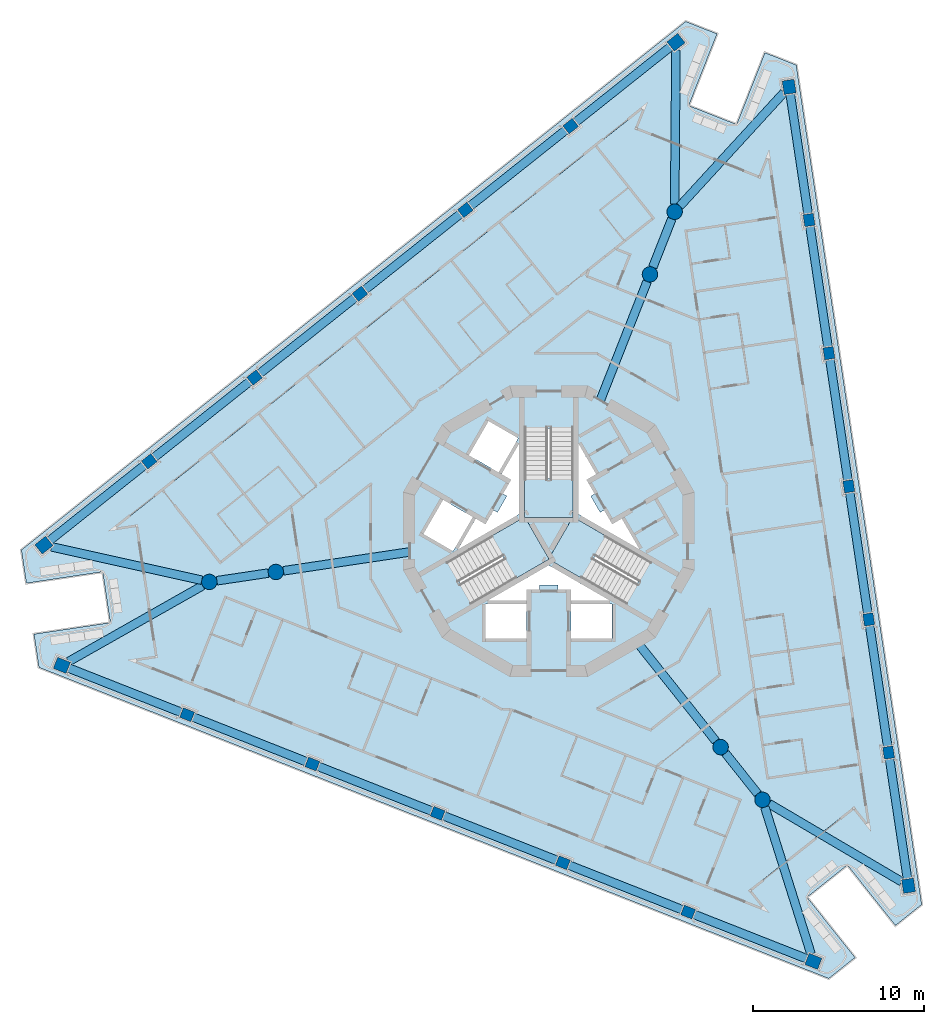
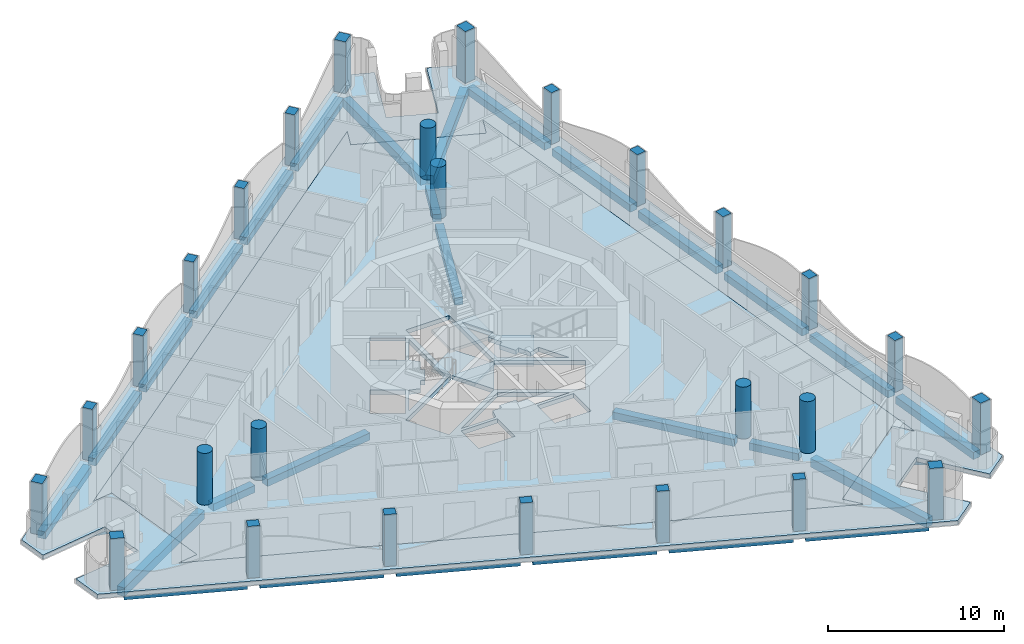
# One storey, part 1 of 16: 30 beams, 27 columns, 6 slabs, 3 elements without a shape of their own.
"""IFC4 building model written with IfcOpenShell, lengths in metres."""

import ifcopenshell
import ifcopenshell.guid

model = None  # the IFC model being written
_history = None  # IfcOwnerHistory: only IFC2X3 demands one
_inside = {}  # id of a spatial element -> (the spatial element, [elements in it])
_under = {}  # id of a project, library or spatial element -> (it, [spatial elements below it])
_declared = {}  # id of a project -> (the project, [libraries it declares])
_typed = {}  # id of a type object -> (the type object, [elements of that type])
_made_of = {}  # id of a material, layer set ... -> (it, [elements and type objects made of it])


def new_model(schema):
    """Start an empty IFC model of exactly this schema.

    Asked for "IFC4X3", IfcOpenShell would pick the latest addendum, in which some entities
    have other attributes; the version numbers below select the first issue.
    IFC2X3 requires an IfcOwnerHistory on every rooted entity: one is made here for all.
    """
    global model, _history
    if schema == "IFC4X3":
        model = ifcopenshell.file(schema_version=(4, 3, 0, 0))
    else:
        model = ifcopenshell.file(schema=schema)
    _inside.clear()
    _under.clear()
    _declared.clear()
    _typed.clear()
    _made_of.clear()
    _history = None
    if model.schema == "IFC2X3":
        org = make("IfcOrganization", Name="unknown")
        user = make(
            "IfcPersonAndOrganization",
            ThePerson=make("IfcPerson", FamilyName="unknown"),
            TheOrganization=org,
        )
        app = make(
            "IfcApplication",
            ApplicationDeveloper=org,
            Version="unknown",
            ApplicationFullName="unknown",
            ApplicationIdentifier="unknown",
        )
        _history = make(
            "IfcOwnerHistory",
            OwningUser=user,
            OwningApplication=app,
            ChangeAction="ADDED",
            CreationDate=0,
        )
    return model


def make(cls, **values):
    """One entity of the class cls with the attributes given. An attribute that is None is left unset."""
    return model.create_entity(
        cls, **{name: value for name, value in values.items() if value is not None}
    )


def rooted(cls, **values):
    """An entity with a GlobalId (a new one), such as an element, a storey or a relation."""
    return make(cls, GlobalId=ifcopenshell.guid.new(), OwnerHistory=_history, **values)


def si_unit(unit_type, name, prefix=None):
    """IfcSIUnit, for example si_unit("LENGTHUNIT", "METRE", prefix="MILLI")."""
    return make("IfcSIUnit", UnitType=unit_type, Prefix=prefix, Name=name)


def assignment(units):
    """IfcUnitAssignment: the units of a project."""
    return None if units is None else make("IfcUnitAssignment", Units=units)


def point(xyz):
    """IfcCartesianPoint."""
    return None if xyz is None else make("IfcCartesianPoint", Coordinates=xyz)


def direction(xyz):
    """IfcDirection."""
    return None if xyz is None else make("IfcDirection", DirectionRatios=xyz)


def frame(location, z_axis=None, x_axis=None):
    """IfcAxis2Placement3D, a coordinate frame: its origin and axes. An axis left out is left unset."""
    return make(
        "IfcAxis2Placement3D",
        Location=point(location),
        Axis=direction(z_axis),
        RefDirection=direction(x_axis),
    )


def frame_2d(location, x_axis=None):
    """IfcAxis2Placement2D, a coordinate frame in the plane: its origin and x axis."""
    return make(
        "IfcAxis2Placement2D", Location=point(location), RefDirection=direction(x_axis)
    )


def origin():
    """The frame at (0, 0, 0) with its axes left unset."""
    return frame((0.0, 0.0, 0.0))


def origin_2d():
    """The frame at (0, 0) in the plane with its x axis left unset."""
    return frame_2d((0.0, 0.0))


def place(relative_to, where):
    """IfcLocalPlacement: puts the frame where relative to a parent placement (None: the world)."""
    return make(
        "IfcLocalPlacement", PlacementRelTo=relative_to, RelativePlacement=where
    )


def context(
    kind, dimensions, precision=None, world=None, true_north=None, identifier=None
):
    """IfcGeometricRepresentationContext, for example the 3D "Model" context."""
    return make(
        "IfcGeometricRepresentationContext",
        ContextIdentifier=identifier,
        ContextType=kind,
        CoordinateSpaceDimension=dimensions,
        Precision=precision,
        WorldCoordinateSystem=world,
        TrueNorth=true_north,
    )


def subcontext(parent, identifier, kind, view, scale=None):
    """IfcGeometricRepresentationSubContext, for example "Body" below "Model"."""
    return make(
        "IfcGeometricRepresentationSubContext",
        ContextIdentifier=identifier,
        ContextType=kind,
        ParentContext=parent,
        TargetScale=scale,
        TargetView=view,
    )


def project(units=None, contexts=None):
    """IfcProject with its units and contexts."""
    return rooted(
        "IfcProject",
        Name="project",
        RepresentationContexts=contexts,
        UnitsInContext=assignment(units),
    )


def spatial(cls, under=None, at=None, **own):
    """A site, building, storey or space (cls), placed at a placement, below another one or the project."""
    s = rooted(cls, ObjectPlacement=at, **own)
    if under is not None:
        _under.setdefault(under.id(), (under, []))[1].append(s)
    return s


def polyline(points):
    """IfcPolyline through the points."""
    return make("IfcPolyline", Points=[point(p) for p in points])


def profile(cls, at=None, kind="AREA", **sizes):
    """A parametric profile (cls). Its sizes go by their IFC names, for example OverallWidth=200.0."""
    return make(cls, ProfileType=kind, Position=at, **sizes)


def rectangle(**sizes):
    """IfcRectangleProfileDef."""
    return profile("IfcRectangleProfileDef", **sizes)


def circle(**sizes):
    """IfcCircleProfileDef."""
    return profile("IfcCircleProfileDef", **sizes)


def outline(outer, holes=None, kind="AREA"):
    """IfcArbitraryClosedProfileDef: a profile drawn as a closed curve; with holes, ...WithVoids."""
    if holes is None:
        return make("IfcArbitraryClosedProfileDef", ProfileType=kind, OuterCurve=outer)
    return make(
        "IfcArbitraryProfileDefWithVoids",
        ProfileType=kind,
        OuterCurve=outer,
        InnerCurves=holes,
    )


def extrude(swept, where, along, depth):
    """IfcExtrudedAreaSolid: the profile swept, set in the frame where, extruded along a direction by depth."""
    return make(
        "IfcExtrudedAreaSolid",
        SweptArea=swept,
        Position=where,
        ExtrudedDirection=direction(along),
        Depth=depth,
    )


def shape(context_of_items, identifier, shape_type, items):
    """IfcShapeRepresentation: the items that make up one representation, for example the "Body"."""
    return make(
        "IfcShapeRepresentation",
        ContextOfItems=context_of_items,
        RepresentationIdentifier=identifier,
        RepresentationType=shape_type,
        Items=items,
    )


def material(Name=None, Category=None):
    """IfcMaterial."""
    return make("IfcMaterial", Name=Name, Category=Category)


def layer(
    of_material, thickness, ventilated=None, Name=None, Category=None, Priority=None
):
    """IfcMaterialLayer: one layer of a wall or slab, of a material (None: an air gap)."""
    return make(
        "IfcMaterialLayer",
        Material=of_material,
        LayerThickness=thickness,
        IsVentilated=ventilated,
        Name=Name,
        Category=Category,
        Priority=Priority,
    )


def layer_set(layers, Name=None):
    """IfcMaterialLayerSet."""
    return make("IfcMaterialLayerSet", MaterialLayers=layers, LayerSetName=Name)


def material_profile(
    of_material, cross_section, Name=None, Category=None, Priority=None
):
    """IfcMaterialProfile: a cross section and its material."""
    return make(
        "IfcMaterialProfile",
        Name=Name,
        Material=of_material,
        Profile=cross_section,
        Priority=Priority,
        Category=Category,
    )


def profile_set(profiles, Name=None, composite=None):
    """IfcMaterialProfileSet."""
    return make(
        "IfcMaterialProfileSet",
        Name=Name,
        MaterialProfiles=profiles,
        CompositeProfile=composite,
    )


def made_of(thing, what):
    """Note that an element or type object is made of a material, layer set ...; save() writes the relation."""
    if what is not None:
        _made_of.setdefault(what.id(), (what, []))[1].append(thing)
    return thing


def type_object(cls, material=None, **own):
    """A type object (cls), such as IfcWallType, which elements share."""
    return made_of(rooted(cls, **own), material)


def element(
    cls,
    number,
    at=None,
    inside=None,
    cuts=None,
    type_object=None,
    material=None,
    context=None,
    identifier="Body",
    shape_type=None,
    held_by="IfcProductDefinitionShape",
    body=None,
    shapes=None,
    **own,
):
    """One element of the class cls, such as IfcWall. Its Tag is "e" and its number.

    at: its placement. inside: the storey or other place that contains it. cuts: it is an
    opening in that element (IfcRelVoidsElement). A single representation is given by context,
    identifier, shape_type and body (its items); several are given by shapes. held_by: the class
    of the entity that holds the representations. save() writes the other relations.
    """
    e = rooted(cls, Tag="e%d" % number, ObjectPlacement=at, **own)
    if body is not None:
        shapes = [shape(context, identifier, shape_type, body)]
    if shapes is not None:
        e.Representation = make(held_by, Representations=shapes)
    if inside is not None:
        _inside.setdefault(inside.id(), (inside, []))[1].append(e)
    if cuts is not None:
        rooted(
            "IfcRelVoidsElement", RelatingBuildingElement=cuts, RelatedOpeningElement=e
        )
    if type_object is not None:
        _typed.setdefault(type_object.id(), (type_object, []))[1].append(e)
    return made_of(e, material)


def aggregate(whole, parts):
    """IfcRelAggregates: a whole, such as a stair, and the parts it consists of."""
    return rooted("IfcRelAggregates", RelatingObject=whole, RelatedObjects=parts)


def save(model, path):
    """Write the relations noted so far, then the file.

    IfcRelAggregates (storeys below a building ...), IfcRelContainedInSpatialStructure (elements
    in a storey), IfcRelDefinesByType, IfcRelAssociatesMaterial and IfcRelDeclares: one each for
    every whole, place, type object, material and project.
    """
    for whole, parts in _under.values():
        aggregate(whole, parts)
    for where, things in _inside.values():
        rooted(
            "IfcRelContainedInSpatialStructure",
            RelatedElements=things,
            RelatingStructure=where,
        )
    for kind, things in _typed.values():
        rooted("IfcRelDefinesByType", RelatedObjects=things, RelatingType=kind)
    for what, things in _made_of.values():
        rooted("IfcRelAssociatesMaterial", RelatedObjects=things, RelatingMaterial=what)
    for by, libraries in _declared.values():
        rooted("IfcRelDeclares", RelatingContext=by, RelatedDefinitions=libraries)
    model.write(path)


model = new_model("IFC4")

# Units and contexts
model_context = context("Model", 3, precision=1e-05, world=origin(), true_north=direction((0.0, 1.0)))
body_context = subcontext(model_context, "Body", "Model", "MODEL_VIEW")
ifc_project = project(units=[si_unit("LENGTHUNIT", "METRE"), si_unit("AREAUNIT", "SQUARE_METRE"), si_unit("VOLUMEUNIT", "CUBIC_METRE"), si_unit("PLANEANGLEUNIT", "RADIAN"), si_unit("MASSUNIT", "GRAM", prefix="KILO")], contexts=[model_context])

# Site, building, storey
site_placement = place(None, origin())
site = spatial("IfcSite", under=ifc_project, at=site_placement, CompositionType="ELEMENT")
building_placement = place(site_placement, origin())
building = spatial("IfcBuilding", under=site, at=building_placement, Name="Trine Commons Tower", CompositionType="ELEMENT")
storey_placement = place(building_placement, frame((0.0, 0.0, 205.199951171875)))
storey = spatial("IfcBuildingStorey", under=building, at=storey_placement, Name="L53", CompositionType="ELEMENT", Elevation=205.199951171875)

# Columns
ifc_material_1 = material(Name="Concrete C60/75", Category="concrete")
ifc_material_profile_1 = material_profile(ifc_material_1, rectangle(XDim=0.699951171875, YDim=0.60009765625, at=origin_2d()), Name="RC 700x600")
ifc_profile_set_1 = profile_set([ifc_material_profile_1], Name="Concrete C60/75")
column_type_1 = type_object("IfcColumnType", Name="RC column 700x600, C60/75", PredefinedType="COLUMN", material=ifc_profile_set_1)
for number, where, z_axis, x_axis, name in (
    (1, (88.125, 40.285888671875, 0.0), (0.0, 0.0, 1.0), (-0.930417567982, 0.366501226724, 0.0), "Column PC6-02 L53"),
    (2, (80.82080078125, 43.1630859375, 0.0), (0.0, 0.0, 1.0), (-0.930417567982, 0.366501226724, 0.0), "Column PC6-03 L53"),
    (3, (73.516357421875, 46.04052734375, 0.0), (0.0, 0.0, 1.0), (-0.930417567982, 0.366501226724, 0.0), "Column PC6-04 L53"),
    (4, (66.212158203125, 48.917724609375, 0.0), (0.0, 0.0, 1.0), (-0.930417567982, 0.366501226724, 0.0), "Column PC6-05 L53"),
    (5, (58.90771484375, 51.794921875, 0.0), (0.0, 0.0, 1.0), (-0.930417567982, 0.366501226724, 0.0), "Column PC6-06 L53"),
    (6, (56.699462890625, 66.570556640625, 0.0), (0.0, 0.0, 1.0), (0.782608156852, 0.622514636638, 0.0), "Column PC6-09 L53"),
    (7, (62.843505859375, 71.45751953125, 0.0), (0.0, 0.0, 1.0), (0.782608156852, 0.622514636638, 0.0), "Column PC6-10 L53"),
    (8, (68.9873046875, 76.3447265625, 0.0), (0.0, 0.0, 1.0), (0.782608156852, 0.622514636638, 0.0), "Column PC6-11 L53"),
    (9, (75.13134765625, 81.231689453125, 0.0), (0.0, 0.0, 1.0), (0.782608156852, 0.622514636638, 0.0), "Column PC6-12 L53"),
    (10, (81.275390625, 86.118896484375, 0.0), (0.0, 0.0, 1.0), (0.782608156852, 0.622514636638, 0.0), "Column PC6-13 L53"),
    (11, (95.17529296875, 80.6435546875, 0.0), (0.0, 0.0, 1.0), (-0.14780941113, 0.989015863362, 0.0), "Column PC6-16 L53"),
    (12, (96.335693359375, 72.879150390625, 0.0), (0.0, 0.0, 1.0), (-0.14780941113, 0.989015863362, 0.0), "Column PC6-17 L53"),
    (13, (97.49609375, 65.11474609375, 0.0), (0.0, 0.0, 1.0), (-0.14780941113, 0.989015863362, 0.0), "Column PC6-18 L53"),
    (14, (98.656494140625, 57.350341796875, 0.0), (0.0, 0.0, 1.0), (-0.14780941113, 0.989015863362, 0.0), "Column PC6-19 L53"),
    (15, (99.81689453125, 49.586181640625, 0.0), (0.0, 0.0, 1.0), (-0.14780941113, 0.989015863362, 0.0), "Column PC6-20 L53"),
):
    element("IfcColumn", number, at=place(storey_placement, frame(where, z_axis=z_axis, x_axis=x_axis)), inside=storey, type_object=column_type_1, Name=name, PredefinedType="COLUMN", context=body_context, shape_type="SweptSolid", body=[
        extrude(rectangle(XDim=0.699951171875, YDim=0.60009765625, at=origin_2d()), origin(), (0.0, 0.0, 1.0), 3.60009765625),
    ])
ifc_material_profile_2 = material_profile(ifc_material_1, rectangle(XDim=0.800048828125, YDim=0.699951171875, at=origin_2d()), Name="RC 800x700")
ifc_profile_set_2 = profile_set([ifc_material_profile_2], Name="Concrete C60/75")
column_type_2 = type_object("IfcColumnType", Name="RC column 800x700, C60/75", PredefinedType="COLUMN", material=ifc_profile_set_2)
for number, where, z_axis, x_axis, name in (
    (16, (95.429443359375, 37.40869140625, 0.0), (0.0, 0.0, 1.0), (-0.930417567982, 0.366501226724, 0.0), "Column PC6-01 L53"),
    (17, (51.603515625, 54.67236328125, 0.0), (0.0, 0.0, 1.0), (-0.930417567982, 0.366501226724, 0.0), "Column PC6-07 L53"),
    (18, (50.5556640625, 61.683349609375, 0.0), (0.0, 0.0, 1.0), (0.782608156852, 0.622514636638, 0.0), "Column PC6-08 L53"),
    (19, (87.419189453125, 91.006103515625, 0.0), (0.0, 0.0, 1.0), (0.782608156852, 0.622514636638, 0.0), "Column PC6-14 L53"),
    (20, (94.014892578125, 88.407958984375, 0.0), (0.0, 0.0, 1.0), (-0.14780941113, 0.989015863362, 0.0), "Column PC6-15 L53"),
    (21, (100.977294921875, 41.82177734375, 0.0), (0.0, 0.0, 1.0), (-0.14780941113, 0.989015863362, 0.0), "Column PC6-21 L53"),
):
    element("IfcColumn", number, at=place(storey_placement, frame(where, z_axis=z_axis, x_axis=x_axis)), inside=storey, type_object=column_type_2, Name=name, PredefinedType="COLUMN", context=body_context, shape_type="SweptSolid", body=[
        extrude(rectangle(XDim=0.800048828125, YDim=0.699951171875, at=origin_2d()), origin(), (0.0, 0.0, 1.0), 3.60009765625),
    ])
ifc_material_profile_3 = material_profile(ifc_material_1, circle(Radius=0.449951171875, at=origin_2d()), Name="RC round 900")
ifc_profile_set_3 = profile_set([ifc_material_profile_3], Name="Concrete C60/75")
column_type_3 = type_object("IfcColumnType", Name="RC round column 900 mm, C60/75", PredefinedType="COLUMN", material=ifc_profile_set_3)
for number, where, z_axis, x_axis, name in (
    (22, (90.018798828125, 49.90478515625, 0.0), (0.0, 0.0, 1.0), (1.0, 0.0, 0.0), "Column WC6-1 L53"),
    (23, (92.461669921875, 46.83349609375, 0.0), (0.0, 0.0, 1.0), (1.0, 0.0, 0.0), "Column WC6-2 L53"),
    (24, (85.8984375, 77.47412109375, 0.0), (0.0, 0.0, 1.0), (1.0, 0.0, 0.0), "Column WC6-3 L53"),
    (25, (87.336669921875, 81.125244140625, 0.0), (0.0, 0.0, 1.0), (1.0, 0.0, 0.0), "Column WC6-4 L53"),
    (26, (64.082763671875, 60.12109375, 0.0), (0.0, 0.0, 1.0), (1.0, 0.0, 0.0), "Column WC6-5 L53"),
    (27, (60.20166015625, 59.541015625, 0.0), (0.0, 0.0, 1.0), (1.0, 0.0, 0.0), "Column WC6-6 L53"),
):
    element("IfcColumn", number, at=place(storey_placement, frame(where, z_axis=z_axis, x_axis=x_axis)), inside=storey, type_object=column_type_3, Name=name, PredefinedType="COLUMN", context=body_context, shape_type="SweptSolid", body=[
        extrude(circle(Radius=0.449951171875, at=origin_2d()), origin(), (0.0, 0.0, 1.0), 3.60009765625),
    ])

# Beams
ifc_material_2 = material(Name="Concrete C40/50", Category="concrete")
ifc_material_profile_4 = material_profile(ifc_material_2, rectangle(XDim=0.5, YDim=0.5, at=origin_2d()), Name="RC 500x500")
ifc_profile_set_4 = profile_set([ifc_material_profile_4], Name="Concrete C40/50")
beam_type_1 = type_object("IfcBeamType", Name="RC beam 500x500, C40/50", PredefinedType="BEAM", material=ifc_profile_set_4)
beam_1_placement = place(storey_placement, frame((95.05712890625, 37.555419921875, -0.550048828125), z_axis=(-0.930420117749, 0.366494753699, 0.0), x_axis=(-0.366494753699, -0.930420117749, 0.0)))
element("IfcBeam", 28, at=beam_1_placement, inside=storey, type_object=beam_type_1, Name="Beam EB6-01 L53", PredefinedType="BEAM", context=body_context, shape_type="SweptSolid", body=[
    extrude(rectangle(XDim=0.5, YDim=0.5, at=origin_2d()), origin(), (0.0, 0.0, 1.0), 7.1005859375),
])
for number, where, z_axis, x_axis, name in (
    (29, (87.799560546875, 40.414306640625, -0.550048828125), (-0.93042285796, 0.366487797048, 0.0), (-0.366487797048, -0.93042285796, 0.0), "Beam EB6-02 L53"),
    (30, (80.4951171875, 43.29150390625, -0.550048828125), (-0.93042285796, 0.366487797048, 0.0), (-0.366487797048, -0.93042285796, 0.0), "Beam EB6-03 L53"),
):
    element("IfcBeam", number, at=place(storey_placement, frame(where, z_axis=z_axis, x_axis=x_axis)), inside=storey, type_object=beam_type_1, Name=name, PredefinedType="BEAM", context=body_context, shape_type="SweptSolid", body=[
        extrude(rectangle(XDim=0.5, YDim=0.5, at=origin_2d()), origin(), (0.0, 0.0, 1.0), 7.150634765625),
    ])
beam_2_placement = place(storey_placement, frame((73.19091796875, 46.168701171875, -0.550048828125), z_axis=(-0.930427443561, 0.366476155115, 0.0), x_axis=(-0.366476155115, -0.930427443561, 0.0)))
element("IfcBeam", 31, at=beam_2_placement, inside=storey, type_object=beam_type_1, Name="Beam EB6-04 L53", PredefinedType="BEAM", context=body_context, shape_type="SweptSolid", body=[
    extrude(rectangle(XDim=0.5, YDim=0.5, at=origin_2d()), origin(), (0.0, 0.0, 1.0), 7.15087890625),
])
beam_3_placement = place(storey_placement, frame((65.886474609375, 49.0458984375, -0.550048828125), z_axis=(-0.930411215363, 0.366517353378, 0.0), x_axis=(-0.366517353378, -0.930411215363, 0.0)))
element("IfcBeam", 32, at=beam_3_placement, inside=storey, type_object=beam_type_1, Name="Beam EB6-05 L53", PredefinedType="BEAM", context=body_context, shape_type="SweptSolid", body=[
    extrude(rectangle(XDim=0.5, YDim=0.5, at=origin_2d()), origin(), (0.0, 0.0, 1.0), 7.150634765625),
])
beam_4_placement = place(storey_placement, frame((58.582275390625, 51.92333984375, -0.550048828125), z_axis=(-0.930424735877, 0.366483029441, 0.0), x_axis=(-0.366483029441, -0.930424735877, 0.0)))
element("IfcBeam", 33, at=beam_4_placement, inside=storey, type_object=beam_type_1, Name="Beam EB6-06 L53", PredefinedType="BEAM", context=body_context, shape_type="SweptSolid", body=[
    extrude(rectangle(XDim=0.5, YDim=0.5, at=origin_2d()), origin(), (0.0, 0.0, 1.0), 7.100830078125),
])
beam_5_placement = place(storey_placement, frame((50.86865234375, 61.932373046875, -0.550048828125), z_axis=(0.782606764813, 0.622516386667, 0.0), x_axis=(-0.622516386667, 0.782606764813, 0.0)))
element("IfcBeam", 34, at=beam_5_placement, inside=storey, type_object=beam_type_1, Name="Beam EB6-07 L53", PredefinedType="BEAM", context=body_context, shape_type="SweptSolid", body=[
    extrude(rectangle(XDim=0.5, YDim=0.5, at=origin_2d()), origin(), (0.0, 0.0, 1.0), 7.1005859375),
])
beam_6_placement = place(storey_placement, frame((56.973388671875, 66.788330078125, -0.550048828125), z_axis=(0.78260785881, 0.622515011329, 0.0), x_axis=(-0.622515011329, 0.78260785881, 0.0)))
element("IfcBeam", 35, at=beam_6_placement, inside=storey, type_object=beam_type_1, Name="Beam EB6-08 L53", PredefinedType="BEAM", context=body_context, shape_type="SweptSolid", body=[
    extrude(rectangle(XDim=0.5, YDim=0.5, at=origin_2d()), origin(), (0.0, 0.0, 1.0), 7.150634765625),
])
beam_7_placement = place(storey_placement, frame((63.117431640625, 71.675537109375, -0.550048828125), z_axis=(0.782611261581, 0.622510733439, 0.0), x_axis=(-0.622510733439, 0.782611261581, 0.0)))
element("IfcBeam", 36, at=beam_7_placement, inside=storey, type_object=beam_type_1, Name="Beam EB6-09 L53", PredefinedType="BEAM", context=body_context, shape_type="SweptSolid", body=[
    extrude(rectangle(XDim=0.5, YDim=0.5, at=origin_2d()), origin(), (0.0, 0.0, 1.0), 7.150390625),
])
for number, where, z_axis, x_axis, name in (
    (37, (69.26123046875, 76.5625, -0.550048828125), (0.78260785881, 0.622515011329, 0.0), (-0.622515011329, 0.78260785881, 0.0), "Beam EB6-10 L53"),
    (38, (75.4052734375, 81.44970703125, -0.550048828125), (0.782624492464, 0.622494099407, 0.0), (-0.622494099407, 0.782624492464, 0.0), "Beam EB6-11 L53"),
):
    element("IfcBeam", number, at=place(storey_placement, frame(where, z_axis=z_axis, x_axis=x_axis)), inside=storey, type_object=beam_type_1, Name=name, PredefinedType="BEAM", context=body_context, shape_type="SweptSolid", body=[
        extrude(rectangle(XDim=0.5, YDim=0.5, at=origin_2d()), origin(), (0.0, 0.0, 1.0), 7.150634765625),
    ])
beam_8_placement = place(storey_placement, frame((81.54931640625, 86.3369140625, -0.550048828125), z_axis=(0.782606764813, 0.622516386667, 0.0), x_axis=(-0.622516386667, 0.782606764813, 0.0)))
element("IfcBeam", 39, at=beam_8_placement, inside=storey, type_object=beam_type_1, Name="Beam EB6-12 L53", PredefinedType="BEAM", context=body_context, shape_type="SweptSolid", body=[
    extrude(rectangle(XDim=0.5, YDim=0.5, at=origin_2d()), origin(), (0.0, 0.0, 1.0), 7.1005859375),
])
beam_9_placement = place(storey_placement, frame((94.07421875, 88.01220703125, -0.550048828125), z_axis=(0.147815848306, -0.989014901298, 0.0), x_axis=(0.989014901298, 0.147815848306, 0.0)))
element("IfcBeam", 40, at=beam_9_placement, inside=storey, type_object=beam_type_1, Name="Beam EB6-13 L53", PredefinedType="BEAM", context=body_context, shape_type="SweptSolid", body=[
    extrude(rectangle(XDim=0.5, YDim=0.5, at=origin_2d()), origin(), (0.0, 0.0, 1.0), 7.100341796875),
])
for number, where, z_axis, x_axis, name in (
    (41, (95.22705078125, 80.29736328125, -0.550048828125), (0.147804496566, -0.989016597836, 0.0), (0.989016597836, 0.147804496566, 0.0), "Beam EB6-14 L53"),
    (42, (96.387451171875, 72.532958984375, -0.550048828125), (0.147804496566, -0.989016597836, 0.0), (0.989016597836, 0.147804496566, 0.0), "Beam EB6-15 L53"),
    (43, (97.5478515625, 64.7685546875, -0.550048828125), (0.147804496566, -0.989016597836, 0.0), (0.989016597836, 0.147804496566, 0.0), "Beam EB6-16 L53"),
):
    element("IfcBeam", number, at=place(storey_placement, frame(where, z_axis=z_axis, x_axis=x_axis)), inside=storey, type_object=beam_type_1, Name=name, PredefinedType="BEAM", context=body_context, shape_type="SweptSolid", body=[
        extrude(rectangle(XDim=0.5, YDim=0.5, at=origin_2d()), origin(), (0.0, 0.0, 1.0), 7.150634765625),
    ])
beam_10_placement = place(storey_placement, frame((98.708251953125, 57.004150390625, -0.550048828125), z_axis=(0.147809487776, -0.989015851907, 0.0), x_axis=(0.989015851907, 0.147809487776, 0.0)))
element("IfcBeam", 44, at=beam_10_placement, inside=storey, type_object=beam_type_1, Name="Beam EB6-17 L53", PredefinedType="BEAM", context=body_context, shape_type="SweptSolid", body=[
    extrude(rectangle(XDim=0.5, YDim=0.5, at=origin_2d()), origin(), (0.0, 0.0, 1.0), 7.150390625),
])
beam_11_placement = place(storey_placement, frame((99.86865234375, 49.239990234375, -0.550048828125), z_axis=(0.14781082184, -0.989015652529, 0.0), x_axis=(0.989015652529, 0.14781082184, 0.0)))
element("IfcBeam", 45, at=beam_11_placement, inside=storey, type_object=beam_type_1, Name="Beam EB6-18 L53", PredefinedType="BEAM", context=body_context, shape_type="SweptSolid", body=[
    extrude(rectangle(XDim=0.5, YDim=0.5, at=origin_2d()), origin(), (0.0, 0.0, 1.0), 7.1005859375),
])
beam_12_placement = place(storey_placement, frame((85.101318359375, 56.0869140625, -0.550048828125), z_axis=(0.622498476125, -0.782621011232, 0.0), x_axis=(0.782621011232, 0.622498476125, 0.0)))
element("IfcBeam", 46, at=beam_12_placement, inside=storey, type_object=beam_type_1, Name="Beam RB6-01 L53", PredefinedType="BEAM", context=body_context, shape_type="SweptSolid", body=[
    extrude(rectangle(XDim=0.5, YDim=0.5, at=origin_2d()), origin(), (0.0, 0.0, 1.0), 7.44970703125),
])
beam_13_placement = place(storey_placement, frame((90.298583984375, 49.552734375, -0.550048828125), z_axis=(0.622497726794, -0.782621607251, 0.0), x_axis=(0.782621607251, 0.622497726794, 0.0)))
element("IfcBeam", 47, at=beam_13_placement, inside=storey, type_object=beam_type_1, Name="Beam RB6-02 L53", PredefinedType="BEAM", context=body_context, shape_type="SweptSolid", body=[
    extrude(rectangle(XDim=0.5, YDim=0.5, at=origin_2d()), origin(), (0.0, 0.0, 1.0), 3.02490234375),
])
beam_14_placement = place(storey_placement, frame((83.00341796875, 70.12451171875, -0.550048828125), z_axis=(0.366497867563, 0.930418891184, 0.0), x_axis=(-0.930418891184, 0.366497867563, 0.0)))
element("IfcBeam", 48, at=beam_14_placement, inside=storey, type_object=beam_type_1, Name="Beam RB6-03 L53", PredefinedType="BEAM", context=body_context, shape_type="SweptSolid", body=[
    extrude(rectangle(XDim=0.5, YDim=0.5, at=origin_2d()), origin(), (0.0, 0.0, 1.0), 7.449462890625),
])
beam_15_placement = place(storey_placement, frame((86.063232421875, 77.892578125, -0.550048828125), z_axis=(0.366528753051, 0.930406724603, 0.0), x_axis=(-0.930406724603, 0.366528753051, 0.0)))
element("IfcBeam", 49, at=beam_15_placement, inside=storey, type_object=beam_type_1, Name="Beam RB6-04 L53", PredefinedType="BEAM", context=body_context, shape_type="SweptSolid", body=[
    extrude(rectangle(XDim=0.5, YDim=0.5, at=origin_2d()), origin(), (0.0, 0.0, 1.0), 3.024658203125),
])
beam_16_placement = place(storey_placement, frame((71.8955078125, 61.288818359375, -0.550048828125), z_axis=(-0.989013138411, -0.147827643054, 0.0), x_axis=(0.147827643054, -0.989013138411, 0.0)))
element("IfcBeam", 50, at=beam_16_placement, inside=storey, type_object=beam_type_1, Name="Beam RB6-05 L53", PredefinedType="BEAM", context=body_context, shape_type="SweptSolid", body=[
    extrude(rectangle(XDim=0.5, YDim=0.5, at=origin_2d()), origin(), (0.0, 0.0, 1.0), 7.449951171875),
])
beam_17_placement = place(storey_placement, frame((63.63818359375, 60.0546875, -0.550048828125), z_axis=(-0.989011987503, -0.14783534278, 0.0), x_axis=(0.14783534278, -0.989011987503, 0.0)))
element("IfcBeam", 51, at=beam_17_placement, inside=storey, type_object=beam_type_1, Name="Beam RB6-06 L53", PredefinedType="BEAM", context=body_context, shape_type="SweptSolid", body=[
    extrude(rectangle(XDim=0.5, YDim=0.5, at=origin_2d()), origin(), (0.0, 0.0, 1.0), 3.025390625),
])
ifc_material_profile_5 = material_profile(ifc_material_2, rectangle(XDim=0.5, YDim=0.60009765625, at=origin_2d()), Name="RC 500x600")
ifc_profile_set_5 = profile_set([ifc_material_profile_5], Name="Concrete C40/50")
beam_type_2 = type_object("IfcBeamType", Name="RC beam 500x600, C40/50", PredefinedType="BEAM", material=ifc_profile_set_5)
for number, where, z_axis, x_axis, name in (
    (52, (51.9951171875, 54.89404296875, -0.599853515625), (0.870168672724, 0.492753976148, 0.0), (-0.492753976148, 0.870168672724, 0.0), "Beam CB6-01 L53"),
    (53, (50.9951171875, 61.585693359375, -0.599853515625), (0.976218391118, -0.216789420505, 0.0), (0.216789420505, 0.976218391118, 0.0), "Beam CB6-02 L53"),
):
    element("IfcBeam", number, at=place(storey_placement, frame(where, z_axis=z_axis, x_axis=x_axis)), inside=storey, type_object=beam_type_2, Name=name, PredefinedType="BEAM", context=body_context, shape_type="SweptSolid", body=[
        extrude(rectangle(XDim=0.5, YDim=0.60009765625, at=origin_2d()), origin(), (0.0, 0.0, 1.0), 8.981201171875),
    ])
beam_18_placement = place(storey_placement, frame((87.41552734375, 90.555908203125, -0.599853515625), z_axis=(-0.008345502486, -0.999965175688, 0.0), x_axis=(0.999965175688, -0.008345502486, 0.0)))
element("IfcBeam", 54, at=beam_18_placement, inside=storey, type_object=beam_type_2, Name="Beam CB6-03 L53", PredefinedType="BEAM", context=body_context, shape_type="SweptSolid", body=[
    extrude(rectangle(XDim=0.5, YDim=0.60009765625, at=origin_2d()), origin(), (0.0, 0.0, 1.0), 8.98095703125),
])
beam_19_placement = place(storey_placement, frame((93.710693359375, 88.076171875, -0.599853515625), z_axis=(-0.675864939366, -0.737025497344, 0.0), x_axis=(0.737025497344, -0.675864939366, 0.0)))
element("IfcBeam", 55, at=beam_19_placement, inside=storey, type_object=beam_type_2, Name="Beam CB6-04 L53", PredefinedType="BEAM", context=body_context, shape_type="SweptSolid", body=[
    extrude(rectangle(XDim=0.5, YDim=0.60009765625, at=origin_2d()), origin(), (0.0, 0.0, 1.0), 8.9814453125),
])
for number, where, z_axis, x_axis, name in (
    (56, (100.58935546875, 42.050048828125, -0.599853515625), (-0.861820288966, 0.507213751319, 0.0), (-0.507213751319, -0.861820288966, 0.0), "Beam CB6-05 L53"),
    (57, (95.294189453125, 37.838134765625, -0.599853515625), (-0.300354576277, 0.953827619913, 0.0), (-0.953827619913, -0.300354576277, 0.0), "Beam CB6-06 L53"),
):
    element("IfcBeam", number, at=place(storey_placement, frame(where, z_axis=z_axis, x_axis=x_axis)), inside=storey, type_object=beam_type_2, Name=name, PredefinedType="BEAM", context=body_context, shape_type="SweptSolid", body=[
        extrude(rectangle(XDim=0.5, YDim=0.60009765625, at=origin_2d()), origin(), (0.0, 0.0, 1.0), 8.981201171875),
    ])

# Slabs
ifc_layer_1 = layer(ifc_material_2, 0.300048828125)
ifc_layer_set_1 = layer_set([ifc_layer_1], Name="Concrete C40/50")
slab_type_1 = type_object("IfcSlabType", Name="Loggia slab 300 mm, C40/50", PredefinedType="FLOOR", material=ifc_layer_set_1)
slab_1_placement = place(storey_placement, frame((0.0, 0.0, -0.300048828125)))
element("IfcSlab", 58, at=slab_1_placement, inside=storey, type_object=slab_type_1, Name="Loggia slab L53", PredefinedType="FLOOR", context=body_context, shape_type="SweptSolid", body=[
    extrude(outline(polyline([(101.748046875, 40.7236328125), (94.430908203125, 89.683349609375), (92.603515625, 90.4033203125), (90.954345703125, 86.21630859375), (88.1630859375, 87.31591796875), (89.812255859375, 91.502685546875), (87.98486328125, 92.22265625), (49.242919921875, 61.406005859375), (49.533203125, 59.46337890625), (53.98388671875, 60.12841796875), (54.42724609375, 57.16162109375), (49.976806640625, 56.496337890625), (50.26708984375, 54.5537109375), (96.325927734375, 36.41064453125), (97.86328125, 37.63330078125), (95.061767578125, 41.155029296875), (97.40966796875, 43.022705078125), (100.2109375, 39.5009765625), (101.748046875, 40.7236328125)]), holes=[polyline([(56.002685546875, 62.85693359375), (57.15576171875, 55.142578125), (55.825439453125, 54.94384765625), (92.52685546875, 40.48681640625), (91.689453125, 41.539306640625), (97.7939453125, 46.39501953125), (98.631103515625, 45.34228515625), (92.80078125, 84.355224609375), (92.3076171875, 83.103759765625), (85.050537109375, 85.96240234375), (85.54345703125, 87.2138671875), (54.672607421875, 62.658203125), (56.002685546875, 62.85693359375)])]), origin(), (0.0, 0.0, 1.0), 0.300048828125),
])
ifc_layer_2 = layer(ifc_material_2, 0.300048828125)
ifc_layer_set_2 = layer_set([ifc_layer_2], Name="Concrete C40/50")
slab_type_2 = type_object("IfcSlabType", Name="PT flat slab 300 mm, C40/50", PredefinedType="FLOOR", material=ifc_layer_set_2)
slab_2_placement = place(storey_placement, frame((0.0, 0.0, -0.300048828125)))
element("IfcSlab", 59, at=slab_2_placement, inside=storey, type_object=slab_type_2, Name="Floor slab L53", PredefinedType="FLOOR", context=body_context, shape_type="SweptSolid", body=[
    extrude(outline(polyline([(54.672607421875, 62.658203125), (56.002685546875, 62.85693359375), (57.15576171875, 55.142578125), (55.825439453125, 54.94384765625), (92.52685546875, 40.48681640625), (91.689453125, 41.539306640625), (97.7939453125, 46.39501953125), (98.631103515625, 45.34228515625), (92.80078125, 84.355224609375), (92.3076171875, 83.103759765625), (85.050537109375, 85.96240234375), (85.54345703125, 87.2138671875), (54.672607421875, 62.658203125)]), holes=[polyline([(78.699951171875, 56.25), (78.699951171875, 58.25), (76.300048828125, 58.25), (76.300048828125, 56.25), (78.699951171875, 56.25)]), polyline([(83.699951171875, 56.25), (83.699951171875, 58.25), (81.300048828125, 58.25), (81.300048828125, 56.25), (83.699951171875, 56.25)]), polyline([(81.300048828125, 58.449951171875), (83.56494140625, 58.449951171875), (80.0, 60.508056640625), (76.43505859375, 58.449951171875), (78.699951171875, 58.449951171875), (78.85009765625, 59.10009765625), (79.449951171875, 59.10009765625), (79.449951171875, 59.360107421875), (80.550048828125, 59.360107421875), (80.550048828125, 59.10009765625), (81.14990234375, 59.10009765625), (81.300048828125, 58.449951171875)]), polyline([(81.425048828125, 63.32275390625), (81.425048828125, 68.490478515625), (78.574951171875, 68.490478515625), (78.574951171875, 63.32275390625), (74.099609375, 60.73876953125), (75.5244140625, 58.2705078125), (80.0, 60.8544921875), (84.4755859375, 58.2705078125), (85.900390625, 60.73876953125), (81.425048828125, 63.32275390625)]), polyline([(72.687255859375, 62.333984375), (74.41943359375, 61.333984375), (75.5693359375, 63.325927734375), (73.83740234375, 64.325927734375), (72.687255859375, 62.333984375)]), polyline([(76.381103515625, 63.031005859375), (75.742919921875, 63.22607421875), (74.7099609375, 61.43798828125), (78.27490234375, 63.49609375), (78.27490234375, 67.612060546875), (77.242919921875, 65.823974609375), (77.73095703125, 65.368896484375), (77.3310546875, 64.676025390625), (77.555908203125, 64.5458984375), (77.006103515625, 63.593994140625), (76.781005859375, 63.722900390625), (76.381103515625, 63.031005859375)]), polyline([(82.993896484375, 63.593994140625), (82.444091796875, 64.5458984375), (82.72705078125, 64.7099609375), (82.281005859375, 65.549072265625), (82.757080078125, 65.823974609375), (81.72509765625, 67.612060546875), (81.72509765625, 63.49609375), (85.2900390625, 61.43798828125), (84.257080078125, 63.22607421875), (83.618896484375, 63.031005859375), (83.243896484375, 63.738037109375), (82.993896484375, 63.593994140625)]), polyline([(76.4873046875, 68.916015625), (75.33740234375, 66.924072265625), (77.0693359375, 65.924072265625), (78.219482421875, 67.916015625), (76.4873046875, 68.916015625)])]), origin(), (0.0, 0.0, 1.0), 0.300048828125),
])
slab_3_placement = place(storey_placement, frame((0.0, 0.0, -0.300048828125)))
element("IfcSlab", 60, at=slab_3_placement, inside=storey, type_object=slab_type_2, Name="Floor slab L53 2", PredefinedType="FLOOR", context=body_context, shape_type="SweptSolid", body=[
    extrude(outline(polyline([(81.38671875, 63.300537109375), (78.61328125, 63.300537109375), (80.0, 60.89892578125), (81.38671875, 63.300537109375)])), origin(), (0.0, 0.0, 1.0), 0.300048828125),
])

# Stair, slab
ifc_material_3 = material(Name="Concrete C50/60", Category="concrete")
stair_type = type_object("IfcStairType", Name="Exit stair, dog-leg, 24 risers of 150 mm", PredefinedType="HALF_TURN_STAIR", material=ifc_material_3)
stair_1_placement = place(storey_placement, origin())
stair_1 = element("IfcStair", 61, at=stair_1_placement, inside=storey, type_object=stair_type, Name="L53 Exit stair ST1C", PredefinedType="HALF_TURN_STAIR")
ifc_layer_3 = layer(ifc_material_3, 0.199951171875)
ifc_layer_set_3 = layer_set([ifc_layer_3], Name="Concrete C50/60")
slab_type_3 = type_object("IfcSlabType", Name="Stair landing slab 200 mm, C50/60", PredefinedType="LANDING", material=ifc_layer_set_3)
slab_4_placement = place(storey_placement, frame((0.0, 0.0, 1.60009765625)))
slab_4 = element("IfcSlab", 62, at=slab_4_placement, type_object=slab_type_3, Name="ST1C landing 1", PredefinedType="LANDING", context=body_context, shape_type="SweptSolid", body=[
    extrude(outline(polyline([(78.574951171875, 65.570556640625), (78.574951171875, 63.300537109375), (81.425048828125, 63.300537109375), (81.425048828125, 65.570556640625), (78.574951171875, 65.570556640625)])), origin(), (0.0, 0.0, 1.0), 0.199951171875),
])
aggregate(stair_1, [slab_4])

stair_2_placement = place(storey_placement, origin())
stair_2 = element("IfcStair", 63, at=stair_2_placement, inside=storey, type_object=stair_type, Name="L53 Exit stair ST2C", PredefinedType="HALF_TURN_STAIR")
slab_5_placement = place(storey_placement, frame((0.0, 0.0, 1.60009765625)))
slab_5 = element("IfcSlab", 64, at=slab_5_placement, type_object=slab_type_3, Name="ST2C landing 1", PredefinedType="LANDING", context=body_context, shape_type="SweptSolid", body=[
    extrude(outline(polyline([(78.05322265625, 59.730712890625), (80.019287109375, 60.86572265625), (78.59423828125, 63.333740234375), (76.628173828125, 62.19873046875), (78.05322265625, 59.730712890625)])), origin(), (0.0, 0.0, 1.0), 0.199951171875),
])
aggregate(stair_2, [slab_5])

stair_3_placement = place(storey_placement, origin())
stair_3 = element("IfcStair", 65, at=stair_3_placement, inside=storey, type_object=stair_type, Name="L53 Exit stair ST3C", PredefinedType="HALF_TURN_STAIR")
slab_6_placement = place(storey_placement, frame((0.0, 0.0, 1.60009765625)))
slab_6 = element("IfcSlab", 66, at=slab_6_placement, type_object=slab_type_3, Name="ST3C landing 1", PredefinedType="LANDING", context=body_context, shape_type="SweptSolid", body=[
    extrude(outline(polyline([(83.371826171875, 62.19873046875), (81.40576171875, 63.333740234375), (79.980712890625, 60.86572265625), (81.94677734375, 59.730712890625), (83.371826171875, 62.19873046875)])), origin(), (0.0, 0.0, 1.0), 0.199951171875),
])
aggregate(stair_3, [slab_6])

save(model, "model.ifc")
